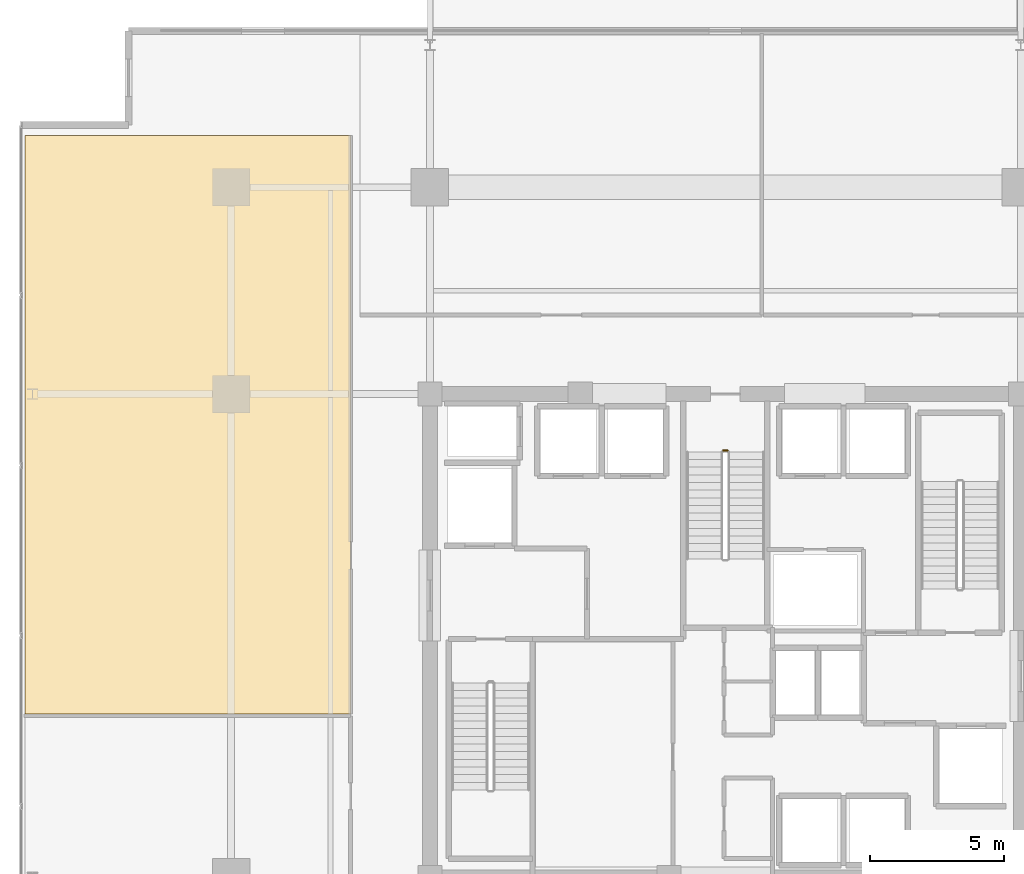
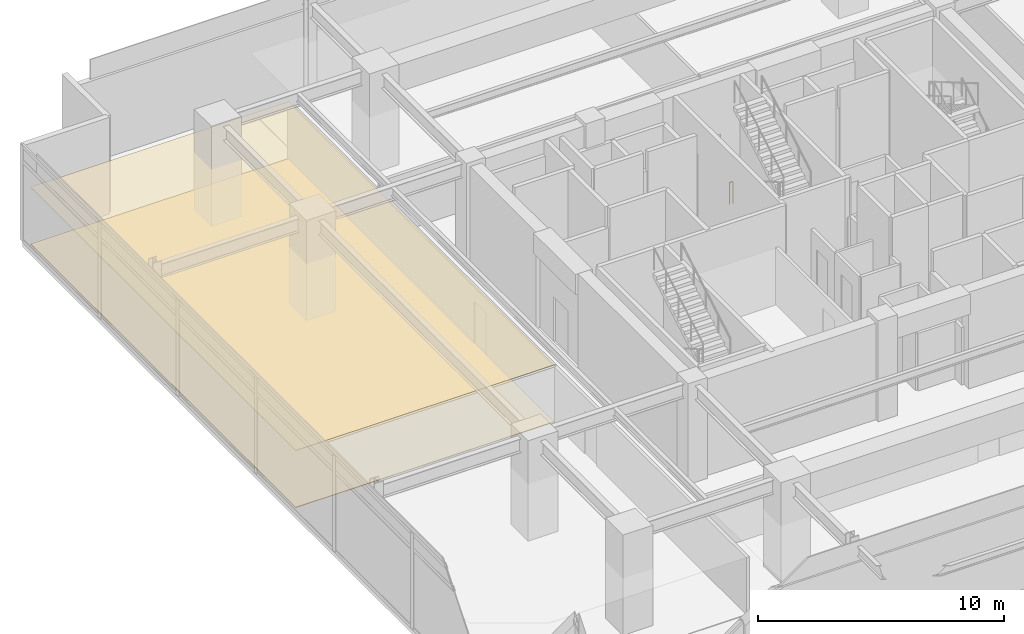
# One storey, part 20 of 21: 2 coverings, 1 railing.
"""IFC4 building model written with IfcOpenShell, lengths in metres."""

from ifc_helpers import new_model, si_unit, direction, frame, origin, origin_2d, place, context, subcontext, project, spatial, polyline, circle, outline, extrude, material, layer, layer_set, type_object, element, save


model = new_model("IFC4")

# Units and contexts
model_context = context("Model", 3, precision=1e-05, world=origin(), true_north=direction((0.0, 1.0)))
body_context = subcontext(model_context, "Body", "Model", "MODEL_VIEW")
ifc_project = project(units=[si_unit("LENGTHUNIT", "METRE"), si_unit("AREAUNIT", "SQUARE_METRE"), si_unit("VOLUMEUNIT", "CUBIC_METRE"), si_unit("PLANEANGLEUNIT", "RADIAN"), si_unit("MASSUNIT", "GRAM", prefix="KILO")], contexts=[model_context])

# Site, building, storey
site_placement = place(None, origin())
site = spatial("IfcSite", under=ifc_project, at=site_placement, CompositionType="ELEMENT")
building_placement = place(site_placement, origin())
building = spatial("IfcBuilding", under=site, at=building_placement, Name="Kovane Verandah Tower", CompositionType="ELEMENT")
storey_placement = place(building_placement, frame((0.0, 0.0, 238.199951171875)))
storey = spatial("IfcBuildingStorey", under=building, at=storey_placement, Name="L55", CompositionType="ELEMENT", Elevation=238.199951171875)

# Coverings
ifc_material_1 = material(Name="Perforated Acoustic Mineral-Fibre Ceiling Tile", Category="gypsum")
ifc_layer_1 = layer(ifc_material_1, 0.02490234375)
ifc_layer_set_1 = layer_set([ifc_layer_1], Name="Perforated Acoustic Mineral-Fibre Ceiling Tile")
covering_type_1 = type_object("IfcCoveringType", Name="CV-CEIL-25", PredefinedType="CEILING", material=ifc_layer_set_1)
covering_1_placement = place(storey_placement, frame((0.0, 0.0, 2.824951171875)))
element("IfcCovering", 1, at=covering_1_placement, inside=storey, type_object=covering_type_1, Name="L55 Document and Print Room W2 Acoustic Ceiling", PredefinedType="CEILING", context=body_context, shape_type="SweptSolid", body=[
    extrude(outline(polyline([(13.929443359375, 24.59033203125), (26.050048828125, 24.59033203125), (26.050048828125, 46.123291015625), (13.929443359375, 46.123291015625), (13.929443359375, 24.59033203125)])), origin(), (0.0, 0.0, 1.0), 0.025146484375),
])
ifc_material_2 = material(Name="Polished Terrazzo and Raised-Access Carpet Tile Finish", Category="concrete")
ifc_layer_2 = layer(ifc_material_2, 0.030029296875)
ifc_layer_set_2 = layer_set([ifc_layer_2], Name="Polished Terrazzo and Raised-Access Carpet Tile Finish")
covering_type_2 = type_object("IfcCoveringType", Name="CV-FLOR-30", PredefinedType="FLOORING", material=ifc_layer_set_2)
covering_2_placement = place(storey_placement, origin())
element("IfcCovering", 2, at=covering_2_placement, inside=storey, type_object=covering_type_2, Name="L55 Document and Print Room W2 Floor Finish", PredefinedType="FLOORING", context=body_context, shape_type="SweptSolid", body=[
    extrude(outline(polyline([(13.929443359375, 24.59033203125), (26.050048828125, 24.59033203125), (26.050048828125, 46.123291015625), (13.929443359375, 46.123291015625), (13.929443359375, 24.59033203125)])), origin(), (0.0, 0.0, 1.0), 0.030029296875),
])

# Railing
ifc_material_3 = material(Name="Painted Steel Stairwell Guardrail", Category="steel")
railing_type = type_object("IfcRailingType", Name="RL-STGUARD-1120", PredefinedType="GUARDRAIL", material=ifc_material_3)
railing_placement = place(storey_placement, frame((39.919921875, 34.39990234375, 0.0)))
element("IfcRailing", 3, at=railing_placement, inside=storey, type_object=railing_type, Name="L55 ST-03 stair guard 4", PredefinedType="GUARDRAIL", context=body_context, shape_type="SweptSolid", body=[
    extrude(circle(Radius=0.02392578125, at=origin_2d()), frame((0.0, 0.0, 1.076171875), z_axis=(1.0, 0.0, 0.0), x_axis=(0.0, 1.0, 0.0)), (0.0, 0.0, 1.0), 0.16015625),
    extrude(circle(Radius=0.02099609375, at=origin_2d()), origin(), (0.0, 0.0, 1.0), 1.052001953125),
    extrude(circle(Radius=0.02099609375, at=origin_2d()), frame((0.16015625, 0.0, 0.0)), (0.0, 0.0, 1.0), 1.052001953125),
])

save(model, "model.ifc")
